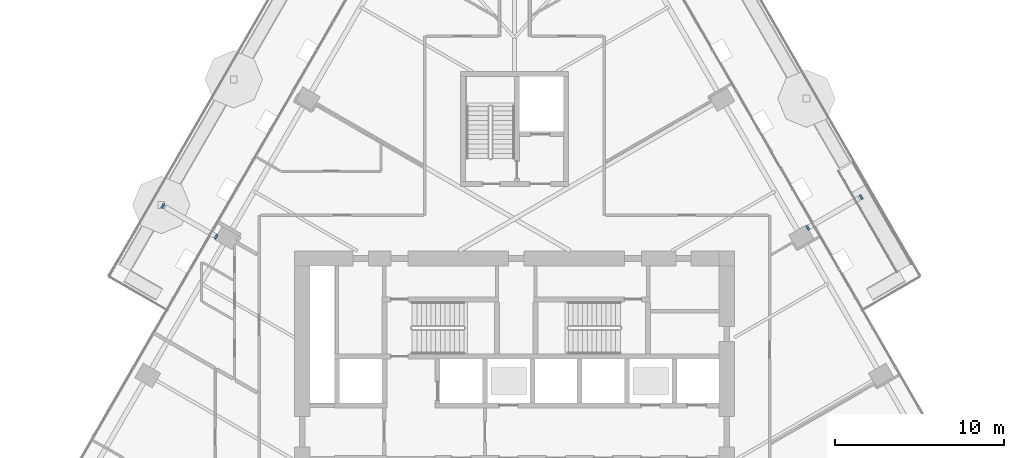
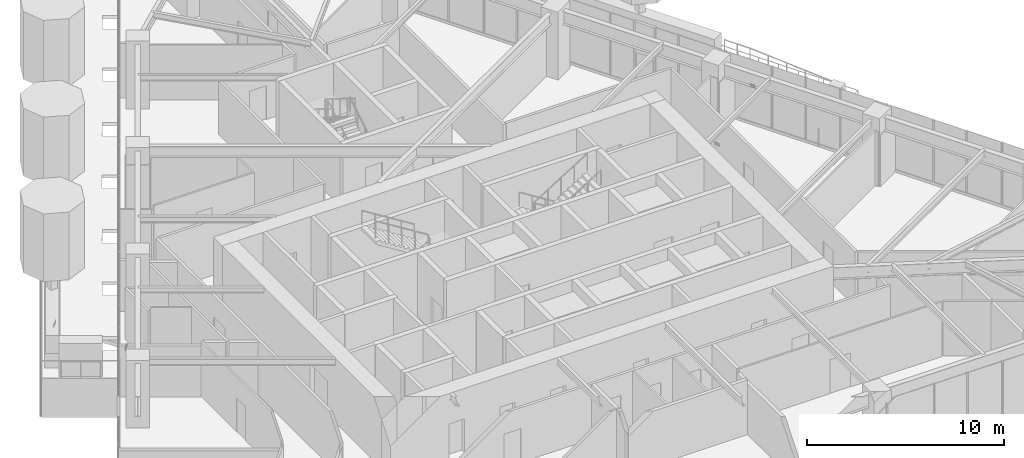
# One storey, part 22 of 25: 4 discrete accessories.
"""IFC4 building model written with IfcOpenShell, lengths in metres."""

from ifc_helpers import new_model, si_unit, direction, frame, origin, place, context, subcontext, project, spatial, polyline, outline, extrude, material, layer, layer_set, type_object, element, save


model = new_model("IFC4")

# Units and contexts
model_context = context("Model", 3, precision=1e-05, world=origin(), true_north=direction((0.0, 1.0)))
body_context = subcontext(model_context, "Body", "Model", "MODEL_VIEW")
ifc_project = project(units=[si_unit("LENGTHUNIT", "METRE"), si_unit("AREAUNIT", "SQUARE_METRE"), si_unit("VOLUMEUNIT", "CUBIC_METRE"), si_unit("PLANEANGLEUNIT", "RADIAN"), si_unit("MASSUNIT", "GRAM", prefix="KILO")], contexts=[model_context])

# Site, building, storey
site_placement = place(None, origin())
site = spatial("IfcSite", under=ifc_project, at=site_placement, CompositionType="ELEMENT")
building_placement = place(site_placement, origin())
building = spatial("IfcBuilding", under=site, at=building_placement, Name="Firuza Gate Tower and Library", CompositionType="ELEMENT")
storey_placement = place(building_placement, frame((0.0, 0.0, 86.199951171875)))
storey = spatial("IfcBuildingStorey", under=building, at=storey_placement, Name="L19", CompositionType="ELEMENT", Elevation=86.199951171875)

# Discrete accessories
ifc_material = material(Name="Steel S355", Category="steel")
ifc_layer = layer(ifc_material, 0.02001953125)
ifc_layer_set = layer_set([ifc_layer], Name="Strut seat plate 304x304x20 Steel S355")
discrete_accessory_type = type_object("IfcDiscreteAccessoryType", Name="Strut seat plate 304x304x20 Steel S355", PredefinedType="BRACKET", material=ifc_layer_set)
discrete_accessory_1_placement = place(storey_placement, frame((92.23486328125, 85.472412109375, -1.53564453125), z_axis=(0.807085092454, 0.466057949956, 0.362496401115), x_axis=(0.500109703928, -0.865962048957, -0.000117489043)))
element("IfcDiscreteAccessory", 1, at=discrete_accessory_1_placement, inside=storey, type_object=discrete_accessory_type, Name="Strut seat plate L19 col:L18:E3", PredefinedType="BRACKET", context=body_context, shape_type="SweptSolid", body=[
    extrude(outline(polyline([(0.0, 0.0), (0.3039734947076466, 0.0), (0.3038445027049493, 0.3038325475838635), (-6.894907011880057e-06, 0.303909171941663), (0.0, 0.0)])), origin(), (0.0, 0.0, -1.0), 0.02001953125),
])
discrete_accessory_2_placement = place(storey_placement, frame((95.536865234375, 87.02783203125, -0.12109375), z_axis=(0.80682116952, 0.4662797668, 0.36279853843), x_axis=(-0.500371262739, 0.865810949009, 0.0)))
element("IfcDiscreteAccessory", 2, at=discrete_accessory_2_placement, inside=storey, type_object=discrete_accessory_type, Name="Strut seat plate L19 col:L18:E3", PredefinedType="BRACKET", context=body_context, shape_type="SweptSolid", body=[
    extrude(outline(polyline([(0.0, 0.0), (0.3039735106735333, -1.3877787807814457e-17), (0.30398037364841063, -0.3039091879116516), (6.862974877363939e-06, -0.3039091879116516), (0.0, 0.0)])), origin(), (0.0, 0.0, -1.0), 0.02001953125),
])
discrete_accessory_3_placement = place(storey_placement, frame((57.313232421875, 84.689697265625, -1.53564453125), z_axis=(-0.807297615918, 0.465590280112, 0.362624117232), x_axis=(0.499617830402, 0.866245934446, 6.7828057e-05)))
element("IfcDiscreteAccessory", 3, at=discrete_accessory_3_placement, inside=storey, type_object=discrete_accessory_type, Name="Strut seat plate L19 col:L18:W3", PredefinedType="BRACKET", context=body_context, shape_type="SweptSolid", body=[
    extrude(outline(polyline([(0.0, 0.0), (0.30385141793030745, -6.938893903907228e-18), (0.3039349943343151, 0.30390917118279887), (-0.000127909419831595, 0.3038649260089385), (0.0, 0.0)])), origin(), (0.0, 0.0, -1.0), 0.02001953125),
])
discrete_accessory_4_placement = place(storey_placement, frame((54.315185546875, 86.771484375, -0.12109375), z_axis=(-0.806973625326, 0.46615166303, 0.362624040962), x_axis=(-0.500220207533, -0.865898226911, -6.7882551e-05)))
element("IfcDiscreteAccessory", 4, at=discrete_accessory_4_placement, inside=storey, type_object=discrete_accessory_type, Name="Strut seat plate L19 col:L18:W3", PredefinedType="BRACKET", context=body_context, shape_type="SweptSolid", body=[
    extrude(outline(polyline([(0.0, 0.0), (0.30397350534743883, -1.3877787807814457e-17), (0.3041780326545568, -0.30386488408505474), (-6.873627186467326e-06, -0.3039091825841892), (0.0, 0.0)])), origin(), (0.0, 0.0, -1.0), 0.02001953125),
])

save(model, "model.ifc")
